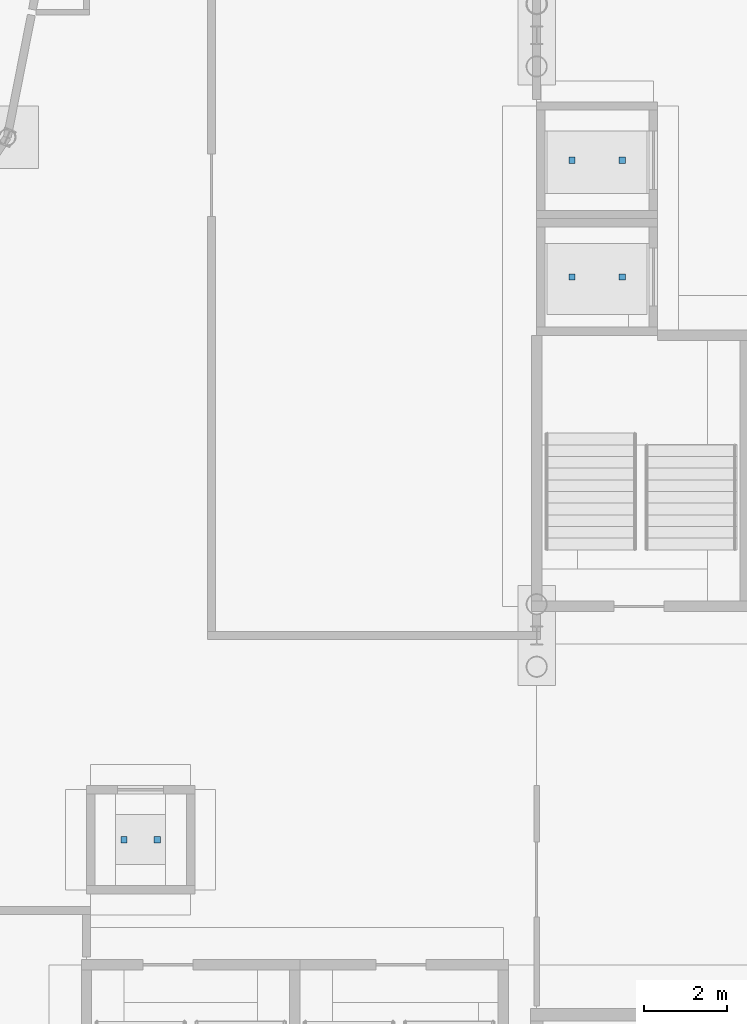
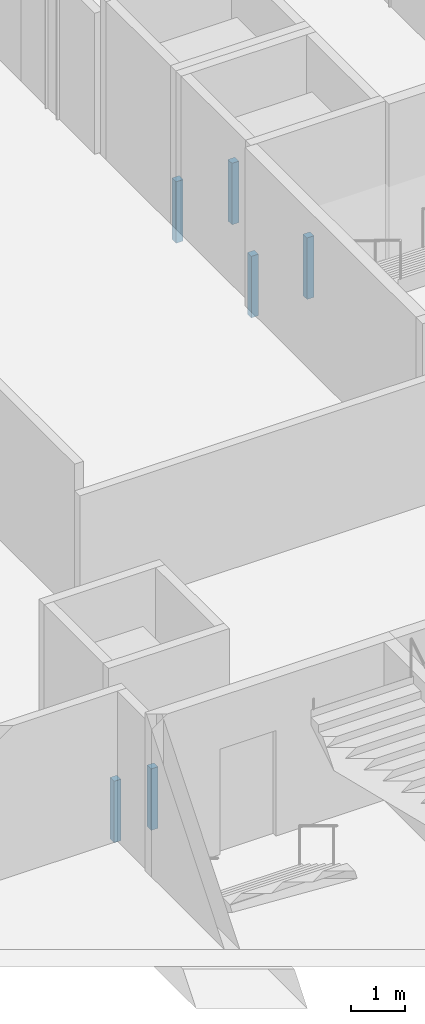
# One storey, part 112 of 148: 6 discrete accessories.
"""IFC4 building model written with IfcOpenShell, lengths in metres."""

from ifc_helpers import new_model, si_unit, direction, frame, origin, origin_2d, place, context, subcontext, project, spatial, rectangle, extrude, material, layer, layer_set, type_object, element, save


model = new_model("IFC4")

# Units and contexts
model_context = context("Model", 3, precision=1e-05, world=origin(), true_north=direction((0.0, 1.0)))
body_context = subcontext(model_context, "Body", "Model", "MODEL_VIEW")
ifc_project = project(units=[si_unit("LENGTHUNIT", "METRE"), si_unit("AREAUNIT", "SQUARE_METRE"), si_unit("VOLUMEUNIT", "CUBIC_METRE"), si_unit("PLANEANGLEUNIT", "RADIAN"), si_unit("MASSUNIT", "GRAM", prefix="KILO")], contexts=[model_context])

# Site, building, storey
site_placement = place(None, origin())
site = spatial("IfcSite", under=ifc_project, at=site_placement, CompositionType="ELEMENT")
building_placement = place(site_placement, origin())
building = spatial("IfcBuilding", under=site, at=building_placement, Name="Kupolbacken Congress Centre", CompositionType="ELEMENT")
storey_placement = place(building_placement, origin())
storey = spatial("IfcBuildingStorey", under=building, at=storey_placement, Name="L00", CompositionType="ELEMENT", Elevation=0.0)

# Discrete accessories
ifc_material = material(Name="Steel S355", Category="steel")
ifc_layer = layer(ifc_material, 0.011962890625)
ifc_layer_set = layer_set([ifc_layer], Name="Steel S355")
discrete_accessory_type = type_object("IfcDiscreteAccessoryType", Name="BK1 bracket 150 x 150 x 12", PredefinedType="BRACKET", material=ifc_layer_set)
for number, where, z_axis, x_axis, name in (
    (1, (69.300048828125, 59.89990234375, -1.39990234375), (0.0, 0.0, 1.0), (1.0, 0.0, 0.0), "Lift car buffer post LP6"),
    (2, (70.10009765625, 59.89990234375, -1.39990234375), (0.0, 0.0, 1.0), (1.0, 0.0, 0.0), "Lift car buffer post LP6"),
    (3, (80.050048828125, 73.39990234375, -1.39990234375), (0.0, 0.0, 1.0), (1.0, 0.0, 0.0), "Lift car buffer post LG3"),
    (4, (81.25, 73.39990234375, -1.39990234375), (0.0, 0.0, 1.0), (1.0, 0.0, 0.0), "Lift car buffer post LG3"),
    (5, (80.050048828125, 76.199951171875, -1.39990234375), (0.0, 0.0, 1.0), (1.0, 0.0, 0.0), "Lift car buffer post LG4"),
    (6, (81.25, 76.199951171875, -1.39990234375), (0.0, 0.0, 1.0), (1.0, 0.0, 0.0), "Lift car buffer post LG4"),
):
    element("IfcDiscreteAccessory", number, at=place(storey_placement, frame(where, z_axis=z_axis, x_axis=x_axis)), inside=storey, type_object=discrete_accessory_type, Name=name, PredefinedType="BRACKET", context=body_context, shape_type="SweptSolid", body=[
        extrude(rectangle(XDim=0.14990234375, YDim=0.14990234375, at=origin_2d()), origin(), (0.0, 0.0, 1.0), 1.39990234375),
    ])

save(model, "model.ifc")
